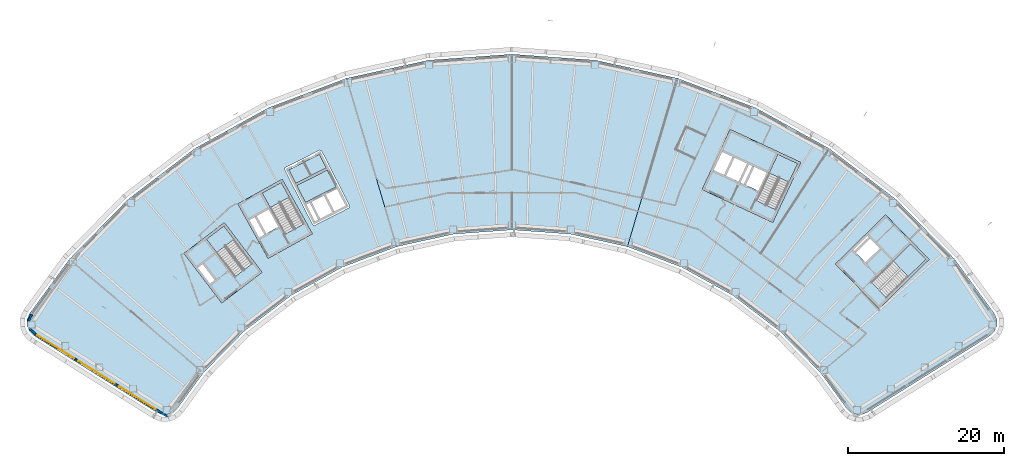
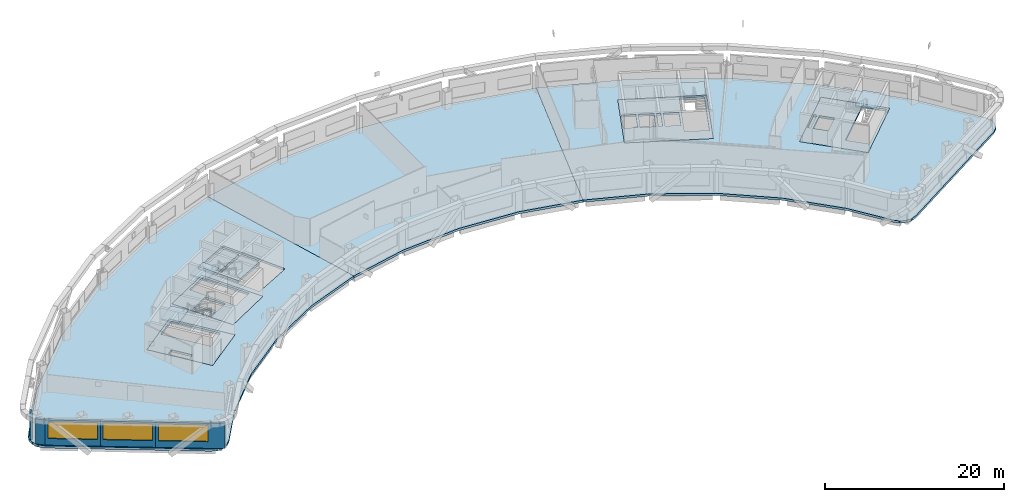
# One storey, part 4 of 20: 13 slabs, 5 walls, 3 windows, 3 openings, 4 elements without a shape of their own.
"""IFC4 building model written with IfcOpenShell, lengths in metres."""

import ifcopenshell
import ifcopenshell.guid

model = None  # the IFC model being written
_history = None  # IfcOwnerHistory: only IFC2X3 demands one
_inside = {}  # id of a spatial element -> (the spatial element, [elements in it])
_under = {}  # id of a project, library or spatial element -> (it, [spatial elements below it])
_declared = {}  # id of a project -> (the project, [libraries it declares])
_typed = {}  # id of a type object -> (the type object, [elements of that type])
_made_of = {}  # id of a material, layer set ... -> (it, [elements and type objects made of it])


def new_model(schema):
    """Start an empty IFC model of exactly this schema.

    Asked for "IFC4X3", IfcOpenShell would pick the latest addendum, in which some entities
    have other attributes; the version numbers below select the first issue.
    IFC2X3 requires an IfcOwnerHistory on every rooted entity: one is made here for all.
    """
    global model, _history
    if schema == "IFC4X3":
        model = ifcopenshell.file(schema_version=(4, 3, 0, 0))
    else:
        model = ifcopenshell.file(schema=schema)
    _inside.clear()
    _under.clear()
    _declared.clear()
    _typed.clear()
    _made_of.clear()
    _history = None
    if model.schema == "IFC2X3":
        org = make("IfcOrganization", Name="unknown")
        user = make(
            "IfcPersonAndOrganization",
            ThePerson=make("IfcPerson", FamilyName="unknown"),
            TheOrganization=org,
        )
        app = make(
            "IfcApplication",
            ApplicationDeveloper=org,
            Version="unknown",
            ApplicationFullName="unknown",
            ApplicationIdentifier="unknown",
        )
        _history = make(
            "IfcOwnerHistory",
            OwningUser=user,
            OwningApplication=app,
            ChangeAction="ADDED",
            CreationDate=0,
        )
    return model


def make(cls, **values):
    """One entity of the class cls with the attributes given. An attribute that is None is left unset."""
    return model.create_entity(
        cls, **{name: value for name, value in values.items() if value is not None}
    )


def rooted(cls, **values):
    """An entity with a GlobalId (a new one), such as an element, a storey or a relation."""
    return make(cls, GlobalId=ifcopenshell.guid.new(), OwnerHistory=_history, **values)


def si_unit(unit_type, name, prefix=None):
    """IfcSIUnit, for example si_unit("LENGTHUNIT", "METRE", prefix="MILLI")."""
    return make("IfcSIUnit", UnitType=unit_type, Prefix=prefix, Name=name)


def assignment(units):
    """IfcUnitAssignment: the units of a project."""
    return None if units is None else make("IfcUnitAssignment", Units=units)


def point(xyz):
    """IfcCartesianPoint."""
    return None if xyz is None else make("IfcCartesianPoint", Coordinates=xyz)


def direction(xyz):
    """IfcDirection."""
    return None if xyz is None else make("IfcDirection", DirectionRatios=xyz)


def frame(location, z_axis=None, x_axis=None):
    """IfcAxis2Placement3D, a coordinate frame: its origin and axes. An axis left out is left unset."""
    return make(
        "IfcAxis2Placement3D",
        Location=point(location),
        Axis=direction(z_axis),
        RefDirection=direction(x_axis),
    )


def frame_2d(location, x_axis=None):
    """IfcAxis2Placement2D, a coordinate frame in the plane: its origin and x axis."""
    return make(
        "IfcAxis2Placement2D", Location=point(location), RefDirection=direction(x_axis)
    )


def origin():
    """The frame at (0, 0, 0) with its axes left unset."""
    return frame((0.0, 0.0, 0.0))


def place(relative_to, where):
    """IfcLocalPlacement: puts the frame where relative to a parent placement (None: the world)."""
    return make(
        "IfcLocalPlacement", PlacementRelTo=relative_to, RelativePlacement=where
    )


def context(
    kind, dimensions, precision=None, world=None, true_north=None, identifier=None
):
    """IfcGeometricRepresentationContext, for example the 3D "Model" context."""
    return make(
        "IfcGeometricRepresentationContext",
        ContextIdentifier=identifier,
        ContextType=kind,
        CoordinateSpaceDimension=dimensions,
        Precision=precision,
        WorldCoordinateSystem=world,
        TrueNorth=true_north,
    )


def subcontext(parent, identifier, kind, view, scale=None):
    """IfcGeometricRepresentationSubContext, for example "Body" below "Model"."""
    return make(
        "IfcGeometricRepresentationSubContext",
        ContextIdentifier=identifier,
        ContextType=kind,
        ParentContext=parent,
        TargetScale=scale,
        TargetView=view,
    )


def project(units=None, contexts=None):
    """IfcProject with its units and contexts."""
    return rooted(
        "IfcProject",
        Name="project",
        RepresentationContexts=contexts,
        UnitsInContext=assignment(units),
    )


def spatial(cls, under=None, at=None, **own):
    """A site, building, storey or space (cls), placed at a placement, below another one or the project."""
    s = rooted(cls, ObjectPlacement=at, **own)
    if under is not None:
        _under.setdefault(under.id(), (under, []))[1].append(s)
    return s


def polyline(points):
    """IfcPolyline through the points."""
    return make("IfcPolyline", Points=[point(p) for p in points])


def profile(cls, at=None, kind="AREA", **sizes):
    """A parametric profile (cls). Its sizes go by their IFC names, for example OverallWidth=200.0."""
    return make(cls, ProfileType=kind, Position=at, **sizes)


def rectangle(**sizes):
    """IfcRectangleProfileDef."""
    return profile("IfcRectangleProfileDef", **sizes)


def outline(outer, holes=None, kind="AREA"):
    """IfcArbitraryClosedProfileDef: a profile drawn as a closed curve; with holes, ...WithVoids."""
    if holes is None:
        return make("IfcArbitraryClosedProfileDef", ProfileType=kind, OuterCurve=outer)
    return make(
        "IfcArbitraryProfileDefWithVoids",
        ProfileType=kind,
        OuterCurve=outer,
        InnerCurves=holes,
    )


def extrude(swept, where, along, depth):
    """IfcExtrudedAreaSolid: the profile swept, set in the frame where, extruded along a direction by depth."""
    return make(
        "IfcExtrudedAreaSolid",
        SweptArea=swept,
        Position=where,
        ExtrudedDirection=direction(along),
        Depth=depth,
    )


def shape(context_of_items, identifier, shape_type, items):
    """IfcShapeRepresentation: the items that make up one representation, for example the "Body"."""
    return make(
        "IfcShapeRepresentation",
        ContextOfItems=context_of_items,
        RepresentationIdentifier=identifier,
        RepresentationType=shape_type,
        Items=items,
    )


def material(Name=None, Category=None):
    """IfcMaterial."""
    return make("IfcMaterial", Name=Name, Category=Category)


def layer(
    of_material, thickness, ventilated=None, Name=None, Category=None, Priority=None
):
    """IfcMaterialLayer: one layer of a wall or slab, of a material (None: an air gap)."""
    return make(
        "IfcMaterialLayer",
        Material=of_material,
        LayerThickness=thickness,
        IsVentilated=ventilated,
        Name=Name,
        Category=Category,
        Priority=Priority,
    )


def layer_set(layers, Name=None):
    """IfcMaterialLayerSet."""
    return make("IfcMaterialLayerSet", MaterialLayers=layers, LayerSetName=Name)


def made_of(thing, what):
    """Note that an element or type object is made of a material, layer set ...; save() writes the relation."""
    if what is not None:
        _made_of.setdefault(what.id(), (what, []))[1].append(thing)
    return thing


def type_object(cls, material=None, **own):
    """A type object (cls), such as IfcWallType, which elements share."""
    return made_of(rooted(cls, **own), material)


def element(
    cls,
    number,
    at=None,
    inside=None,
    cuts=None,
    type_object=None,
    material=None,
    context=None,
    identifier="Body",
    shape_type=None,
    held_by="IfcProductDefinitionShape",
    body=None,
    shapes=None,
    **own,
):
    """One element of the class cls, such as IfcWall. Its Tag is "e" and its number.

    at: its placement. inside: the storey or other place that contains it. cuts: it is an
    opening in that element (IfcRelVoidsElement). A single representation is given by context,
    identifier, shape_type and body (its items); several are given by shapes. held_by: the class
    of the entity that holds the representations. save() writes the other relations.
    """
    e = rooted(cls, Tag="e%d" % number, ObjectPlacement=at, **own)
    if body is not None:
        shapes = [shape(context, identifier, shape_type, body)]
    if shapes is not None:
        e.Representation = make(held_by, Representations=shapes)
    if inside is not None:
        _inside.setdefault(inside.id(), (inside, []))[1].append(e)
    if cuts is not None:
        rooted(
            "IfcRelVoidsElement", RelatingBuildingElement=cuts, RelatedOpeningElement=e
        )
    if type_object is not None:
        _typed.setdefault(type_object.id(), (type_object, []))[1].append(e)
    return made_of(e, material)


def fill(opening, filler):
    """IfcRelFillsElement: the door or window that sits in an opening."""
    return rooted(
        "IfcRelFillsElement",
        RelatingOpeningElement=opening,
        RelatedBuildingElement=filler,
    )


def aggregate(whole, parts):
    """IfcRelAggregates: a whole, such as a stair, and the parts it consists of."""
    return rooted("IfcRelAggregates", RelatingObject=whole, RelatedObjects=parts)


def save(model, path):
    """Write the relations noted so far, then the file.

    IfcRelAggregates (storeys below a building ...), IfcRelContainedInSpatialStructure (elements
    in a storey), IfcRelDefinesByType, IfcRelAssociatesMaterial and IfcRelDeclares: one each for
    every whole, place, type object, material and project.
    """
    for whole, parts in _under.values():
        aggregate(whole, parts)
    for where, things in _inside.values():
        rooted(
            "IfcRelContainedInSpatialStructure",
            RelatedElements=things,
            RelatingStructure=where,
        )
    for kind, things in _typed.values():
        rooted("IfcRelDefinesByType", RelatedObjects=things, RelatingType=kind)
    for what, things in _made_of.values():
        rooted("IfcRelAssociatesMaterial", RelatedObjects=things, RelatingMaterial=what)
    for by, libraries in _declared.values():
        rooted("IfcRelDeclares", RelatingContext=by, RelatedDefinitions=libraries)
    model.write(path)


model = new_model("IFC4")

# Units and contexts
model_context = context("Model", 3, precision=1e-05, world=origin(), true_north=direction((0.0, 1.0)))
body_context = subcontext(model_context, "Body", "Model", "MODEL_VIEW")
ifc_project = project(units=[si_unit("LENGTHUNIT", "METRE"), si_unit("AREAUNIT", "SQUARE_METRE"), si_unit("VOLUMEUNIT", "CUBIC_METRE"), si_unit("PLANEANGLEUNIT", "RADIAN"), si_unit("MASSUNIT", "GRAM", prefix="KILO")], contexts=[model_context])

# Site, building, storey
site_placement = place(None, origin())
site = spatial("IfcSite", under=ifc_project, at=site_placement, CompositionType="ELEMENT")
building_placement = place(site_placement, origin())
building = spatial("IfcBuilding", under=site, at=building_placement, Name="Tuul Gate Civic Tower", CompositionType="ELEMENT")
storey_placement = place(building_placement, frame((0.0, 0.0, 197.300048828125)))
storey = spatial("IfcBuildingStorey", under=building, at=storey_placement, Name="Level 45", CompositionType="ELEMENT", Elevation=197.300048828125)

# Slabs
ifc_material_1 = material(Name="Concrete C40/50", Category="concrete")
ifc_layer_1 = layer(ifc_material_1, 0.300048828125)
ifc_layer_set_1 = layer_set([ifc_layer_1], Name="Concrete C40/50")
slab_type_1 = type_object("IfcSlabType", Name="Core floor slab 300", PredefinedType="FLOOR", material=ifc_layer_set_1)
slab_1_placement = place(storey_placement, frame((0.0, 0.0, -0.300048828125)))
element("IfcSlab", 1, at=slab_1_placement, inside=storey, type_object=slab_type_1, Name="FLOOR SLAB", PredefinedType="FLOOR", context=body_context, shape_type="SweptSolid", body=[
    extrude(outline(polyline([(-31.10009765625, -13.7890625), (-35.946044921875, -7.423828125), (-41.11767578125, -11.361572265625), (-36.271484375, -17.726806640625), (-31.10009765625, -13.7890625)]), holes=[polyline([(-37.19287109375, -14.783203125), (-38.737548828125, -12.75439453125), (-39.45361328125, -13.299560546875), (-37.908935546875, -15.328369140625), (-37.19287109375, -14.783203125)]), polyline([(-32.33935546875, -12.65771484375), (-34.56591796875, -14.352783203125), (-38.229736328125, -9.54052734375), (-36.003173828125, -7.845458984375), (-32.33935546875, -12.65771484375)])]), origin(), (0.0, 0.0, 1.0), 0.300048828125),
])
slab_2_placement = place(storey_placement, frame((0.0, 0.0, -0.300048828125)))
element("IfcSlab", 2, at=slab_2_placement, inside=storey, type_object=slab_type_1, Name="FLOOR SLAB", PredefinedType="FLOOR", context=body_context, shape_type="SweptSolid", body=[
    extrude(outline(polyline([(-24.638916015625, -8.846923828125), (-28.51708984375, -1.849853515625), (-34.2021484375, -5.0009765625), (-30.32421875, -11.998046875), (-24.638916015625, -8.846923828125)]), holes=[polyline([(-29.0185546875, -7.958740234375), (-30.254638671875, -5.728515625), (-31.785400390625, -6.576904296875), (-30.54931640625, -8.80712890625), (-29.0185546875, -7.958740234375)]), polyline([(-30.8115234375, -8.95263671875), (-32.047607421875, -6.72216796875), (-32.8349609375, -7.158447265625), (-31.5986328125, -9.388916015625), (-30.8115234375, -8.95263671875)]), polyline([(-25.702392578125, -7.548828125), (-28.14990234375, -8.905517578125), (-31.08203125, -3.615234375), (-28.63427734375, -2.2587890625), (-25.702392578125, -7.548828125)])]), origin(), (0.0, 0.0, 1.0), 0.300048828125),
])
slab_3_placement = place(storey_placement, frame((0.0, 0.0, -0.300048828125)))
element("IfcSlab", 3, at=slab_3_placement, inside=storey, type_object=slab_type_1, Name="FLOOR SLAB", PredefinedType="FLOOR", context=body_context, shape_type="SweptSolid", body=[
    extrude(outline(polyline([(48.117919921875, -18.43310546875), (54.545166015625, -12.1328125), (48.945068359375, -6.419921875), (42.517822265625, -12.719970703125), (48.117919921875, -18.43310546875)]), holes=[polyline([(46.373779296875, -12.510986328125), (48.19482421875, -10.725830078125), (46.969970703125, -9.47607421875), (45.14892578125, -11.26123046875), (46.373779296875, -12.510986328125)]), polyline([(44.93896484375, -11.046875), (46.760009765625, -9.261962890625), (46.514892578125, -9.011962890625), (44.69384765625, -10.797119140625), (44.93896484375, -11.046875)]), polyline([(49.086181640625, -17.062744140625), (47.12744140625, -15.064208984375), (52.160888671875, -10.130126953125), (54.11962890625, -12.128662109375), (49.086181640625, -17.062744140625)])]), origin(), (0.0, 0.0, 1.0), 0.300048828125),
])
slab_4_placement = place(storey_placement, frame((0.0, 0.0, -0.300048828125)))
element("IfcSlab", 4, at=slab_4_placement, inside=storey, type_object=slab_type_1, Name="FLOOR SLAB", PredefinedType="FLOOR", context=body_context, shape_type="SweptSolid", body=[
    extrude(outline(polyline([(34.465087890625, -7.385986328125), (38.056884765625, 0.31787109375), (28.993896484375, 4.543701171875), (25.40185546875, -3.159912109375), (34.465087890625, -7.385986328125)]), holes=[polyline([(32.60888671875, -3.32080078125), (33.6865234375, -1.009765625), (32.1005859375, -0.27001953125), (31.02294921875, -2.581298828125), (32.60888671875, -3.32080078125)]), polyline([(30.0712890625, -2.137451171875), (31.14892578125, 0.173583984375), (29.562744140625, 0.9130859375), (28.4853515625, -1.39794921875), (30.0712890625, -2.137451171875)]), polyline([(30.751220703125, -2.454345703125), (31.82861328125, -0.143310546875), (31.4208984375, 0.046875), (30.34326171875, -2.264404296875), (30.751220703125, -2.454345703125)]), polyline([(28.21337890625, -1.27099609375), (29.291015625, 1.0400390625), (27.8408203125, 1.71630859375), (26.76318359375, -0.594970703125), (28.21337890625, -1.27099609375)]), polyline([(34.889892578125, -5.7626953125), (32.353759765625, -4.580078125), (35.120849609375, 1.354736328125), (37.6572265625, 0.17236328125), (34.889892578125, -5.7626953125)])]), origin(), (0.0, 0.0, 1.0), 0.300048828125),
])
ifc_material_2 = material(Name="Concrete C40/50", Category="concrete")
ifc_layer_2 = layer(ifc_material_2, 0.300048828125)
ifc_layer_set_2 = layer_set([ifc_layer_2], Name="Concrete C40/50")
slab_type_2 = type_object("IfcSlabType", Name="Core floor slab 300 non-bearing", PredefinedType="FLOOR", material=ifc_layer_set_2)
slab_5_placement = place(storey_placement, frame((0.0, 0.0, -0.300048828125)))
element("IfcSlab", 5, at=slab_5_placement, inside=storey, type_object=slab_type_2, Name="FLOOR SLAB", PredefinedType="FLOOR", context=body_context, shape_type="SweptSolid", body=[
    extrude(outline(polyline([(-27.66455078125, -0.63916015625), (-23.744140625, 1.3583984375), (-22.85888671875, -0.37890625), (-26.779296875, -2.37646484375), (-27.66455078125, -0.63916015625)])), origin(), (0.0, 0.0, 1.0), 0.300048828125),
])
slab_6_placement = place(storey_placement, frame((0.0, 0.0, -0.300048828125)))
element("IfcSlab", 6, at=slab_6_placement, inside=storey, type_object=slab_type_2, Name="FLOOR SLAB", PredefinedType="FLOOR", context=body_context, shape_type="SweptSolid", body=[
    extrude(outline(polyline([(-26.64306640625, -2.643798828125), (-22.72265625, -0.646240234375), (-21.6103515625, -2.8291015625), (-25.53076171875, -4.82666015625), (-26.64306640625, -2.643798828125)])), origin(), (0.0, 0.0, 1.0), 0.300048828125),
])

# Stair, slab
ifc_material_3 = material(Name="Concrete C40/50", Category="concrete")
stair_type = type_object("IfcStairType", Name="Exit stair", PredefinedType="HALF_TURN_STAIR", material=ifc_material_3)
stair_1_placement = place(storey_placement, origin())
stair_1 = element("IfcStair", 7, at=stair_1_placement, inside=storey, type_object=stair_type, Name="Level 45 ST-1", PredefinedType="HALF_TURN_STAIR")
ifc_material_4 = material(Name="Concrete C40/50", Category="concrete")
ifc_layer_3 = layer(ifc_material_4, 0.199951171875)
ifc_layer_set_3 = layer_set([ifc_layer_3], Name="Concrete C40/50")
slab_type_3 = type_object("IfcSlabType", Name="Exit stair landing", PredefinedType="LANDING", material=ifc_layer_set_3)
slab_7_placement = place(storey_placement, frame((0.0, 0.0, 1.89990234375)))
slab_7 = element("IfcSlab", 8, at=slab_7_placement, type_object=slab_type_3, Name="ST-1 landing 1", PredefinedType="LANDING", context=body_context, shape_type="SweptSolid", body=[
    extrude(outline(polyline([(-34.699462890625, -9.554931640625), (-36.9287109375, -11.252197265625), (-38.23193359375, -9.540283203125), (-36.0029296875, -7.843017578125), (-34.699462890625, -9.554931640625)])), origin(), (0.0, 0.0, 1.0), 0.199951171875),
])
aggregate(stair_1, [slab_7])

stair_2_placement = place(storey_placement, origin())
stair_2 = element("IfcStair", 9, at=stair_2_placement, inside=storey, type_object=stair_type, Name="Level 45 ST-2", PredefinedType="HALF_TURN_STAIR")
slab_8_placement = place(storey_placement, frame((0.0, 0.0, 1.89990234375)))
slab_8 = element("IfcSlab", 10, at=slab_8_placement, type_object=slab_type_3, Name="ST-2 landing 1", PredefinedType="LANDING", context=body_context, shape_type="SweptSolid", body=[
    extrude(outline(polyline([(-27.5908203125, -4.138427734375), (-30.041015625, -5.49658203125), (-31.084228515625, -3.61474609375), (-28.6337890625, -2.256591796875), (-27.5908203125, -4.138427734375)])), origin(), (0.0, 0.0, 1.0), 0.199951171875),
])
aggregate(stair_2, [slab_8])

stair_3_placement = place(storey_placement, origin())
stair_3 = element("IfcStair", 11, at=stair_3_placement, inside=storey, type_object=stair_type, Name="Level 45 ST-3", PredefinedType="HALF_TURN_STAIR")
slab_9_placement = place(storey_placement, frame((0.0, 0.0, 1.89990234375)))
slab_9 = element("IfcSlab", 12, at=slab_9_placement, type_object=slab_type_3, Name="ST-3 landing 1", PredefinedType="LANDING", context=body_context, shape_type="SweptSolid", body=[
    extrude(outline(polyline([(51.871337890625, -14.3349609375), (49.91015625, -12.334228515625), (52.160888671875, -10.1279296875), (54.1220703125, -12.128662109375), (51.871337890625, -14.3349609375)])), origin(), (0.0, 0.0, 1.0), 0.199951171875),
])
aggregate(stair_3, [slab_9])

stair_4_placement = place(storey_placement, origin())
stair_4 = element("IfcStair", 13, at=stair_4_placement, inside=storey, type_object=stair_type, Name="Level 45 ST-4", PredefinedType="HALF_TURN_STAIR")
slab_10_placement = place(storey_placement, frame((0.0, 0.0, 1.89990234375)))
slab_10 = element("IfcSlab", 14, at=slab_10_placement, type_object=slab_type_3, Name="ST-4 landing 1", PredefinedType="LANDING", context=body_context, shape_type="SweptSolid", body=[
    extrude(outline(polyline([(36.538818359375, -2.230224609375), (33.999755859375, -1.046142578125), (35.1201171875, 1.35693359375), (37.659423828125, 0.173095703125), (36.538818359375, -2.230224609375)])), origin(), (0.0, 0.0, 1.0), 0.199951171875),
])
aggregate(stair_4, [slab_10])

# Slabs
ifc_material_5 = material(Name="Concrete C35/45", Category="concrete")
ifc_layer_4 = layer(ifc_material_5, 0.300048828125)
ifc_layer_set_4 = layer_set([ifc_layer_4], Name="Concrete C35/45")
slab_type_4 = type_object("IfcSlabType", Name="STR-FLOOR-SLAB-300", PredefinedType="FLOOR", material=ifc_layer_set_4)
slab_11_placement = place(storey_placement, frame((0.0, 0.0, -0.300048828125)))
element("IfcSlab", 15, at=slab_11_placement, inside=storey, type_object=slab_type_4, Name="Level 45/slab/W", PredefinedType="FLOOR", context=body_context, shape_type="SweptSolid", body=[
    extrude(outline(polyline([(-20.843994140625, -13.154052734375), (-13.823974609375, -10.4990234375), (-20.258056640625, 11.123046875), (-30.326904296875, 7.31494140625), (-39.740966796875, 2.096923828125), (-48.305908203125, -4.424072265625), (-55.841064453125, -12.111083984375), (-60.922119140625, -19.06689453125), (-61.258056640625, -19.81103515625), (-61.27001953125, -20.6259765625), (-60.955078125, -21.37890625), (-60.365966796875, -21.943115234375), (-44.635986328125, -31.77197265625), (-43.94189453125, -32.04296875), (-43.197021484375, -32.0400390625), (-42.5048828125, -31.764892578125), (-41.9609375, -31.256103515625), (-38.632080078125, -26.697998046875), (-33.37890625, -21.337890625), (-27.407958984375, -16.7919921875), (-20.843994140625, -13.154052734375)]), holes=[polyline([(-31.10009765625, -13.7890625), (-36.27197265625, -17.72705078125), (-41.117919921875, -11.362060546875), (-35.946044921875, -7.424072265625), (-31.10009765625, -13.7890625)]), polyline([(-24.638916015625, -8.846923828125), (-30.323974609375, -11.998046875), (-34.201904296875, -5.0009765625), (-28.51708984375, -1.85009765625), (-24.638916015625, -8.846923828125)]), polyline([(-24.367919921875, -7.77001953125), (-24.570068359375, -7.7041015625), (-28.201904296875, -0.575927734375), (-28.135986328125, -0.3740234375), (-23.680908203125, 1.89599609375), (-23.47900390625, 1.830078125), (-19.846923828125, -5.298095703125), (-19.9130859375, -5.5), (-24.367919921875, -7.77001953125)])]), origin(), (0.0, 0.0, 1.0), 0.300048828125),
])
slab_12_placement = place(storey_placement, frame((0.0, 0.0, -0.300048828125)))
element("IfcSlab", 16, at=slab_12_placement, inside=storey, type_object=slab_type_4, Name="Level 45/slab/M", PredefinedType="FLOOR", context=body_context, shape_type="SweptSolid", body=[
    extrude(outline(polyline([(15.803955078125, -10.4990234375), (22.238037109375, 11.123046875), (11.72607421875, 13.43994140625), (0.989990234375, 14.217041015625), (-9.74609375, 13.43994140625), (-20.258056640625, 11.123046875), (-13.823974609375, -10.4990234375), (-6.4951171875, -8.884033203125), (0.989990234375, -8.342041015625), (8.47509765625, -8.884033203125), (15.803955078125, -10.4990234375)])), origin(), (0.0, 0.0, 1.0), 0.300048828125),
])
slab_13_placement = place(storey_placement, frame((0.0, 0.0, -0.300048828125)))
element("IfcSlab", 17, at=slab_13_placement, inside=storey, type_object=slab_type_4, Name="Level 45/slab/E", PredefinedType="FLOOR", context=body_context, shape_type="SweptSolid", body=[
    extrude(outline(polyline([(45.922119140625, -32.04296875), (46.615966796875, -31.77197265625), (62.345947265625, -21.943115234375), (62.93505859375, -21.37890625), (63.25, -20.6259765625), (63.238037109375, -19.81103515625), (62.90087890625, -19.06689453125), (57.821044921875, -12.111083984375), (50.284912109375, -4.424072265625), (41.720947265625, 2.096923828125), (32.306884765625, 7.31494140625), (22.238037109375, 11.123046875), (15.803955078125, -10.4990234375), (22.823974609375, -13.154052734375), (29.387939453125, -16.7919921875), (35.35888671875, -21.337890625), (40.612060546875, -26.697998046875), (43.94091796875, -31.256103515625), (44.485107421875, -31.764892578125), (45.177001953125, -32.0400390625), (45.922119140625, -32.04296875)]), holes=[polyline([(48.117919921875, -18.43310546875), (42.51806640625, -12.719970703125), (48.945068359375, -6.419921875), (54.544921875, -12.133056640625), (48.117919921875, -18.43310546875)]), polyline([(25.402099609375, -3.159912109375), (28.993896484375, 4.5439453125), (38.056884765625, 0.318115234375), (34.465087890625, -7.385986328125), (25.402099609375, -3.159912109375)])]), origin(), (0.0, 0.0, 1.0), 0.300048828125),
])

# Walls
ifc_material_6 = material(Name="Precast concrete C40/50", Category="concrete")
ifc_layer_5 = layer(ifc_material_6, 0.25)
ifc_layer_set_5 = layer_set([ifc_layer_5], Name="Precast concrete C40/50")
wall_type = type_object("IfcWallType", Name="External wall", PredefinedType="STANDARD", material=ifc_layer_set_5)
wall_1_placement = place(storey_placement, frame((-60.686279296875, -19.207763671875, 0.0), z_axis=(0.0, 0.0, 1.0), x_axis=(-0.413528765966, -0.910491054167, 0.0)))
element("IfcWall", 18, at=wall_1_placement, inside=storey, type_object=wall_type, Name="External wall", PredefinedType="STANDARD", context=body_context, shape_type="SweptSolid", body=[
    extrude(rectangle(XDim=0.939208984375, YDim=0.25, at=frame_2d((0.4697265625, 0.0))), origin(), (0.0, 0.0, 1.0), 3.449951171875),
])
wall_2_placement = place(storey_placement, frame((-60.996826171875, -20.962890625, 0.0), z_axis=(0.0, 0.0, 1.0), x_axis=(0.722107994372, -0.691780344087, 0.0)))
element("IfcWall", 19, at=wall_2_placement, inside=storey, type_object=wall_type, Name="External wall", PredefinedType="STANDARD", context=body_context, shape_type="SweptSolid", body=[
    extrude(rectangle(XDim=1.102783203125, YDim=0.25, at=frame_2d((0.55126953125, 0.0))), origin(), (0.0, 0.0, 1.0), 3.449951171875),
])

# Wall, opening, window
wall_3_placement = place(storey_placement, frame((-60.220703125, -21.7099609375, 0.0), z_axis=(0.0, 0.0, 1.0), x_axis=(0.848042669488, -0.529927948619, 0.0)))
wall_3 = element("IfcWall", 20, at=wall_3_placement, inside=storey, type_object=wall_type, Name="External wall", PredefinedType="STANDARD", context=body_context, shape_type="SweptSolid", body=[
    extrude(rectangle(XDim=6.1826171875, YDim=0.25, at=frame_2d((3.09130859375, 0.0))), origin(), (0.0, 0.0, 1.0), 3.449951171875),
])
opening_1_placement = place(wall_3_placement, frame((0.31640625, 0.0, 0.89990234375)))
opening_1 = element("IfcOpeningElement", 21, at=opening_1_placement, cuts=wall_3, Name="Opening W24", PredefinedType="OPENING", context=body_context, shape_type="SweptSolid", body=[
    extrude(rectangle(XDim=5.550048828125, YDim=2.300048828125, at=frame_2d((2.77490234375, 1.14990234375))), frame((0.0, 0.135009765625, 0.0), z_axis=(0.0, -1.0, 0.0), x_axis=(1.0, 0.0, 0.0)), (0.0, 0.0, 1.0), 0.27001953125),
])
ifc_material_7 = material(Name="Glass", Category="glass")
window_type = type_object("IfcWindowType", Name="Window W24 5550 x 2300", PartitioningType="SINGLE_PANEL", PredefinedType="WINDOW", material=ifc_material_7)
window_1_placement = place(opening_1_placement, origin())
window_1 = element("IfcWindow", 22, at=window_1_placement, inside=storey, type_object=window_type, Name="Window", OverallHeight=2.300048828125, OverallWidth=5.550048828125, PartitioningType="SINGLE_PANEL", PredefinedType="WINDOW", context=body_context, shape_type="SweptSolid", body=[
    extrude(rectangle(XDim=5.550048828125, YDim=2.300048828125, at=frame_2d((2.77490234375, 1.14990234375))), frame((0.0, 0.030029296875, 0.0), z_axis=(0.0, -1.0, 0.0), x_axis=(1.0, 0.0, 0.0)), (0.0, 0.0, 1.0), 0.06005859375),
])
fill(opening_1, window_1)

wall_4_placement = place(storey_placement, frame((-54.9775390625, -24.986328125, 0.0), z_axis=(0.0, 0.0, 1.0), x_axis=(0.848053758074, -0.529910203164, 0.0)))
wall_4 = element("IfcWall", 23, at=wall_4_placement, inside=storey, type_object=wall_type, Name="External wall", PredefinedType="STANDARD", context=body_context, shape_type="SweptSolid", body=[
    extrude(rectangle(XDim=6.182861328125, YDim=0.25, at=frame_2d((3.09130859375, 0.0))), origin(), (0.0, 0.0, 1.0), 3.449951171875),
])
opening_2_placement = place(wall_4_placement, frame((0.31640625, 0.0, 0.89990234375)))
opening_2 = element("IfcOpeningElement", 24, at=opening_2_placement, cuts=wall_4, Name="Opening W24", PredefinedType="OPENING", context=body_context, shape_type="SweptSolid", body=[
    extrude(rectangle(XDim=5.550048828125, YDim=2.300048828125, at=frame_2d((2.77490234375, 1.14990234375))), frame((0.0, 0.135009765625, 0.0), z_axis=(0.0, -1.0, 0.0), x_axis=(1.0, 0.0, 0.0)), (0.0, 0.0, 1.0), 0.27001953125),
])
window_2_placement = place(opening_2_placement, origin())
window_2 = element("IfcWindow", 25, at=window_2_placement, inside=storey, type_object=window_type, Name="Window", OverallHeight=2.300048828125, OverallWidth=5.550048828125, PartitioningType="SINGLE_PANEL", PredefinedType="WINDOW", context=body_context, shape_type="SweptSolid", body=[
    extrude(rectangle(XDim=5.550048828125, YDim=2.300048828125, at=frame_2d((2.77490234375, 1.14990234375))), frame((0.0, 0.030029296875, 0.0), z_axis=(0.0, -1.0, 0.0), x_axis=(1.0, 0.0, 0.0)), (0.0, 0.0, 1.0), 0.06005859375),
])
fill(opening_2, window_2)

wall_5_placement = place(storey_placement, frame((-49.734130859375, -28.2626953125, 0.0), z_axis=(0.0, 0.0, 1.0), x_axis=(0.848047613046, -0.52992003737, 0.0)))
wall_5 = element("IfcWall", 26, at=wall_5_placement, inside=storey, type_object=wall_type, Name="External wall", PredefinedType="STANDARD", context=body_context, shape_type="SweptSolid", body=[
    extrude(rectangle(XDim=7.787841796875, YDim=0.25, at=frame_2d((3.89404296875, 0.0))), origin(), (0.0, 0.0, 1.0), 3.449951171875),
])
opening_3_placement = place(wall_5_placement, frame((0.31640625, 0.0, 0.89990234375)))
opening_3 = element("IfcOpeningElement", 27, at=opening_3_placement, cuts=wall_5, Name="Opening W24", PredefinedType="OPENING", context=body_context, shape_type="SweptSolid", body=[
    extrude(rectangle(XDim=5.550048828125, YDim=2.300048828125, at=frame_2d((2.77490234375, 1.14990234375))), frame((0.0, 0.135009765625, 0.0), z_axis=(0.0, -1.0, 0.0), x_axis=(1.0, 0.0, 0.0)), (0.0, 0.0, 1.0), 0.27001953125),
])
window_3_placement = place(opening_3_placement, origin())
window_3 = element("IfcWindow", 28, at=window_3_placement, inside=storey, type_object=window_type, Name="Window", OverallHeight=2.300048828125, OverallWidth=5.550048828125, PartitioningType="SINGLE_PANEL", PredefinedType="WINDOW", context=body_context, shape_type="SweptSolid", body=[
    extrude(rectangle(XDim=5.550048828125, YDim=2.300048828125, at=frame_2d((2.77490234375, 1.14990234375))), frame((0.0, 0.030029296875, 0.0), z_axis=(0.0, -1.0, 0.0), x_axis=(1.0, 0.0, 0.0)), (0.0, 0.0, 1.0), 0.06005859375),
])
fill(opening_3, window_3)

save(model, "model.ifc")
